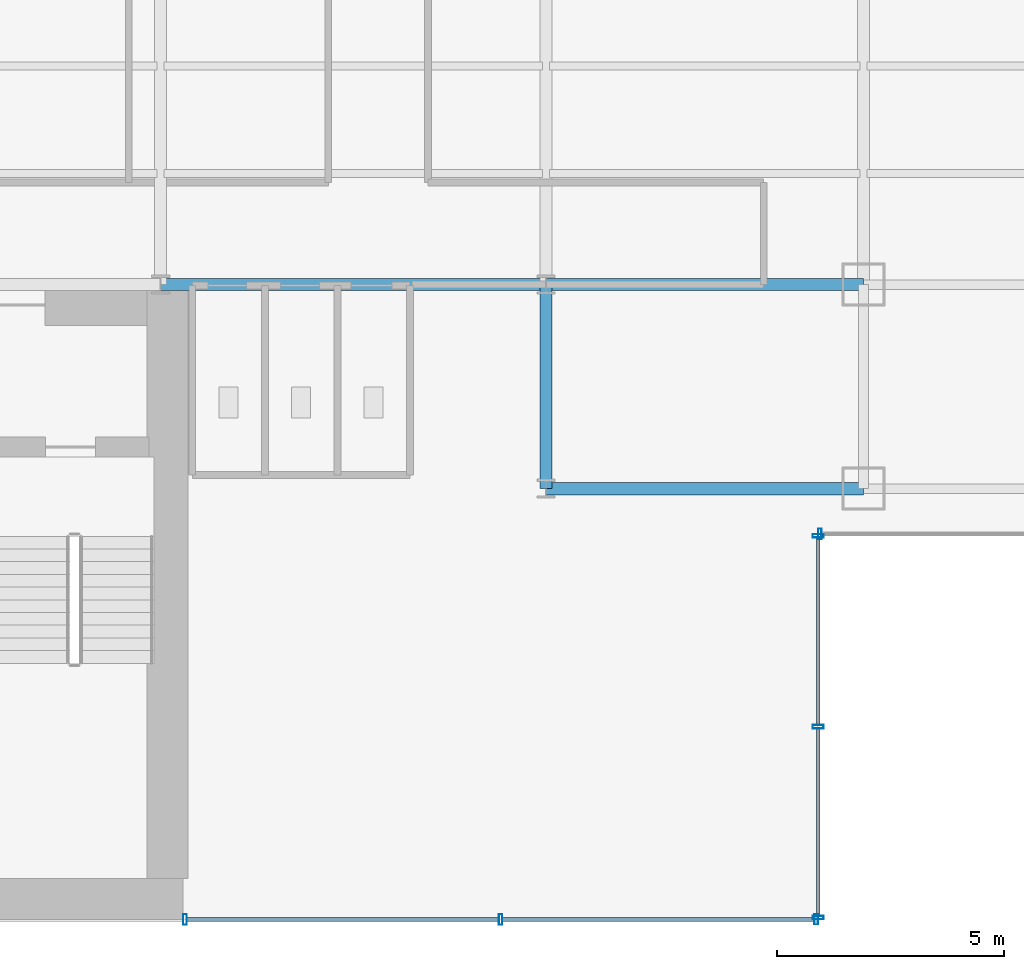
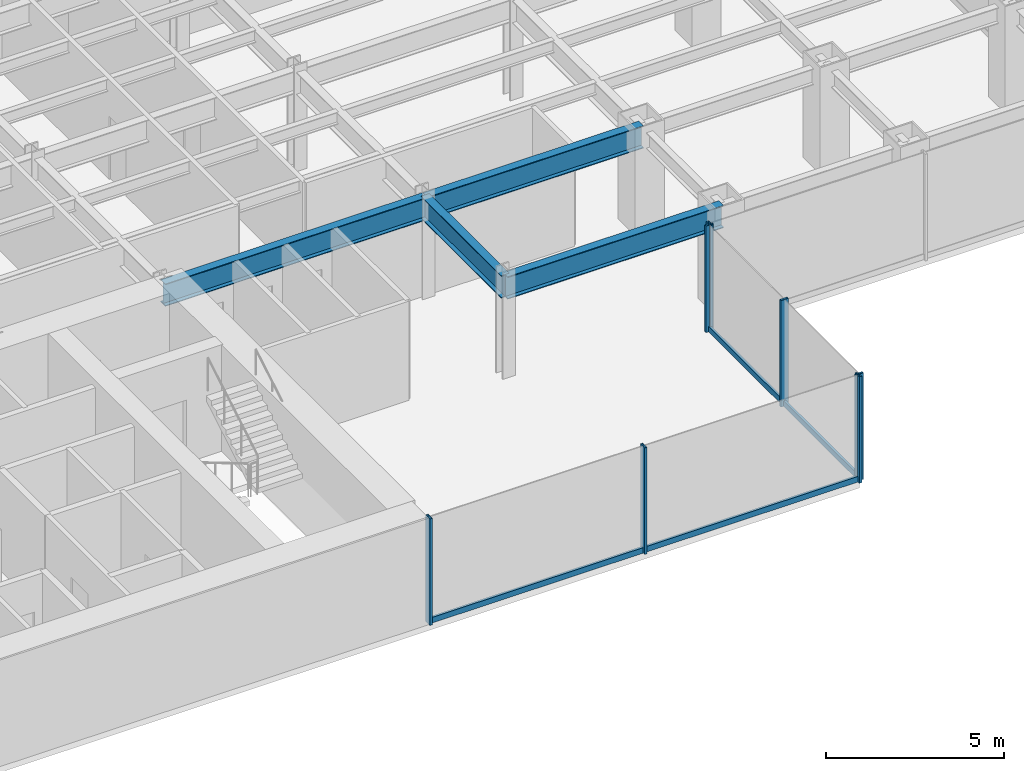
# One storey, part 6 of 22: 11 members, 4 beams, 3 elements without a shape of their own.
"""IFC4 building model written with IfcOpenShell, lengths in metres."""

from ifc_helpers import new_model, si_unit, derived_unit, direction, frame, origin, origin_2d, place, context, subcontext, project, spatial, hollow_rectangle, i_section, extrude, source, transform, mapped, material, material_profile, profile_set, type_object, element, aggregate, save


model = new_model("IFC4")

# Units and contexts
model_context = context("Model", 3, precision=1e-05, world=origin(), true_north=direction((0.0, 1.0)))
body_context = subcontext(model_context, "Body", "Model", "MODEL_VIEW")
ifc_project = project(units=[si_unit("LENGTHUNIT", "METRE"), si_unit("AREAUNIT", "SQUARE_METRE"), si_unit("VOLUMEUNIT", "CUBIC_METRE"), si_unit("PLANEANGLEUNIT", "RADIAN"), si_unit("MASSUNIT", "GRAM", prefix="KILO"), derived_unit("THERMALTRANSMITTANCEUNIT", [(si_unit("POWERUNIT", "WATT"), 1), (si_unit("LENGTHUNIT", "METRE"), -2), (si_unit("THERMODYNAMICTEMPERATUREUNIT", "KELVIN"), -1)])], contexts=[model_context])

# Site, building, storey
site_placement = place(None, origin())
site = spatial("IfcSite", under=ifc_project, at=site_placement, CompositionType="ELEMENT")
building_placement = place(site_placement, origin())
building = spatial("IfcBuilding", under=site, at=building_placement, Name="Skarnbrae Concourse Arena and Tower", CompositionType="ELEMENT")
storey_placement = place(building_placement, frame((0.0, 0.0, 36.14990234375)))
storey = spatial("IfcBuildingStorey", under=building, at=storey_placement, Name="L07", CompositionType="ELEMENT", Elevation=36.14990234375)

# Beams
ifc_material_1 = material(Name="Steel CSA G40.21 350W", Category="steel")
ifc_material_profile_1 = material_profile(ifc_material_1, i_section(OverallWidth=0.26806640625, OverallDepth=0.77001953125, WebThickness=0.015625, FlangeThickness=0.025390625, at=origin_2d()), Name="W760X196")
ifc_profile_set_1 = profile_set([ifc_material_profile_1], Name="Steel CSA G40.21 350W")
beam_type = type_object("IfcBeamType", Name="BM-GIRD-W760X196", PredefinedType="BEAM", material=ifc_profile_set_1)
shared_shape_1 = source(origin(), body_context, "Body", "SweptSolid", [
    extrude(i_section(OverallWidth=0.26806640625, OverallDepth=0.77001953125, WebThickness=0.015625, FlangeThickness=0.025390625, at=origin_2d()), origin(), (0.0, 0.0, 1.0), 7.0),
])
for number, where, z_axis, x_axis, name in (
    (1, (42.0, 9.5, 3.01513671875), (1.0, 0.0, 0.0), (0.0, 1.0, 0.0), "L07 Primary E-W girder Y9.5-2"),
    (2, (42.0, 14.0, 3.01513671875), (1.0, 0.0, 0.0), (0.0, 1.0, 0.0), "L07 Primary E-W girder Y14.0-7"),
):
    element("IfcBeam", number, at=place(storey_placement, frame(where, z_axis=z_axis, x_axis=x_axis)), inside=storey, type_object=beam_type, Name=name, PredefinedType="BEAM", context=body_context, shape_type="MappedRepresentation", body=[
        mapped(shared_shape_1, transform((0.0, 0.0, 0.0))),
    ])
shared_shape_2 = source(origin(), body_context, "Body", "SweptSolid", [
    extrude(i_section(OverallWidth=0.26806640625, OverallDepth=0.77001953125, WebThickness=0.015625, FlangeThickness=0.025390625, at=origin_2d()), origin(), (0.0, 0.0, 1.0), 8.5),
])
beam_1_placement = place(storey_placement, frame((33.5, 14.0, 3.01513671875), z_axis=(1.0, 0.0, 0.0), x_axis=(0.0, 1.0, 0.0)))
element("IfcBeam", 3, at=beam_1_placement, inside=storey, type_object=beam_type, Name="L07 Primary E-W girder Y14.0-6", PredefinedType="BEAM", context=body_context, shape_type="MappedRepresentation", body=[
    mapped(shared_shape_2, transform((0.0, 0.0, 0.0))),
])
shared_shape_3 = source(origin(), body_context, "Body", "SweptSolid", [
    extrude(i_section(OverallWidth=0.26806640625, OverallDepth=0.77001953125, WebThickness=0.015625, FlangeThickness=0.025390625, at=origin_2d()), origin(), (0.0, 0.0, 1.0), 4.5),
])
beam_2_placement = place(storey_placement, frame((42.0, 9.5, 3.01513671875), z_axis=(0.0, 1.0, 0.0), x_axis=(-1.0, 0.0, 0.0)))
element("IfcBeam", 4, at=beam_2_placement, inside=storey, type_object=beam_type, Name="L07 Primary N-S girder X42.0-1", PredefinedType="BEAM", context=body_context, shape_type="MappedRepresentation", body=[
    mapped(shared_shape_3, transform((0.0, 0.0, 0.0))),
])

# Curtain wall, members
ifc_material_2 = material(Name="Bronze anodised aluminium 6063-T6", Category="aluminium")
curtain_wall_type = type_object("IfcCurtainWallType", Name="CW-SYS-02-LOWZONE", PredefinedType="USERDEFINED", material=ifc_material_2)
curtain_wall_1_placement = place(storey_placement, origin())
curtain_wall_1 = element("IfcCurtainWall", 5, at=curtain_wall_1_placement, inside=storey, type_object=curtain_wall_type, Name="L07 Unitised curtain wall CW-L07-SE-SPINE", ObjectType="UNITISED CURTAIN WALL", PredefinedType="USERDEFINED")
ifc_material_profile_2 = material_profile(ifc_material_2, hollow_rectangle(XDim=0.080078125, YDim=0.18994140625, WallThickness=0.0048828125, at=origin_2d()), Name="ALU-TRAN-80X190")
ifc_profile_set_2 = profile_set([ifc_material_profile_2], Name="Bronze anodised aluminium 6063-T6")
member_type_1 = type_object("IfcMemberType", Name="CWT-CW-02", PredefinedType="USERDEFINED", material=ifc_profile_set_2)
shared_shape_4 = source(origin(), body_context, "Body", "SweptSolid", [
    extrude(hollow_rectangle(XDim=0.080078125, YDim=0.18994140625, WallThickness=0.0048828125, at=origin_2d()), origin(), (0.0, 0.0, 1.0), 6.8798828125),
])
member_1_placement = place(storey_placement, frame((34.080078125, 0.0, 0.09521484375), z_axis=(1.0, 0.0, 0.0), x_axis=(0.0, 1.0, 0.0)))
member_1 = element("IfcMember", 6, at=member_1_placement, type_object=member_type_1, Name="CW-L07-SE-SPINE Transom 1", ObjectType="TRANSOM", PredefinedType="USERDEFINED", context=body_context, shape_type="MappedRepresentation", body=[
    mapped(shared_shape_4, transform((0.0, 0.0, 0.0))),
])
member_2_placement = place(storey_placement, frame((41.0400390625, 0.0, 0.09521484375), z_axis=(1.0, 0.0, 0.0), x_axis=(0.0, 1.0, 0.0)))
member_2 = element("IfcMember", 7, at=member_2_placement, type_object=member_type_1, Name="CW-L07-SE-SPINE Transom 2", ObjectType="TRANSOM", PredefinedType="USERDEFINED", context=body_context, shape_type="MappedRepresentation", body=[
    mapped(shared_shape_4, transform((0.0, 0.0, 0.0))),
])

curtain_wall_2_placement = place(storey_placement, origin())
curtain_wall_2 = element("IfcCurtainWall", 8, at=curtain_wall_2_placement, inside=storey, type_object=curtain_wall_type, Name="L07 Unitised curtain wall CW-L07-E02", ObjectType="UNITISED CURTAIN WALL", PredefinedType="USERDEFINED")
shared_shape_5 = source(origin(), body_context, "Body", "SweptSolid", [
    extrude(hollow_rectangle(XDim=0.080078125, YDim=0.18994140625, WallThickness=0.0048828125, at=origin_2d()), origin(), (0.0, 0.0, 1.0), 4.1298828125),
])
member_3_placement = place(storey_placement, frame((48.0, 0.080078125, 0.09521484375), z_axis=(0.0, 1.0, 0.0), x_axis=(-1.0, 0.0, 0.0)))
member_3 = element("IfcMember", 9, at=member_3_placement, type_object=member_type_1, Name="CW-L07-E02 Transom 1", ObjectType="TRANSOM", PredefinedType="USERDEFINED", context=body_context, shape_type="MappedRepresentation", body=[
    mapped(shared_shape_5, transform((0.0, 0.0, 0.0))),
])
member_4_placement = place(storey_placement, frame((48.0, 4.2900390625, 0.09521484375), z_axis=(0.0, 1.0, 0.0), x_axis=(-1.0, 0.0, 0.0)))
member_4 = element("IfcMember", 10, at=member_4_placement, type_object=member_type_1, Name="CW-L07-E02 Transom 2", ObjectType="TRANSOM", PredefinedType="USERDEFINED", context=body_context, shape_type="MappedRepresentation", body=[
    mapped(shared_shape_5, transform((0.0, 0.0, 0.0))),
])

# Member
ifc_material_profile_3 = material_profile(ifc_material_2, hollow_rectangle(XDim=0.080078125, YDim=0.239990234375, WallThickness=0.0048828125, at=origin_2d()), Name="ALU-MULL-80X240")
ifc_profile_set_3 = profile_set([ifc_material_profile_3], Name="Bronze anodised aluminium 6063-T6")
member_type_2 = type_object("IfcMemberType", Name="CWM-CW-02", PredefinedType="MULLION", material=ifc_profile_set_3)
shared_shape_6 = source(origin(), body_context, "Body", "SweptSolid", [
    extrude(hollow_rectangle(XDim=0.080078125, YDim=0.239990234375, WallThickness=0.0048828125, at=origin_2d()), origin(), (0.0, 0.0, 1.0), 3.650146484375),
])
member_5_placement = place(storey_placement, frame((34.0400390625, 0.0, 0.0), z_axis=(0.0, 0.0, 1.0), x_axis=(1.0, 0.0, 0.0)))
member_5 = element("IfcMember", 11, at=member_5_placement, type_object=member_type_2, Name="CW-L07-SE-SPINE Mullion 1", PredefinedType="MULLION", context=body_context, shape_type="MappedRepresentation", body=[
    mapped(shared_shape_6, transform((0.0, 0.0, 0.0))),
])

member_6_placement = place(storey_placement, frame((41.0, 0.0, 0.0), z_axis=(0.0, 0.0, 1.0), x_axis=(1.0, 0.0, 0.0)))
member_6 = element("IfcMember", 12, at=member_6_placement, type_object=member_type_2, Name="CW-L07-SE-SPINE Mullion 2", PredefinedType="MULLION", context=body_context, shape_type="MappedRepresentation", body=[
    mapped(shared_shape_6, transform((0.0, 0.0, 0.0))),
])

member_7_placement = place(storey_placement, frame((47.9599609375, 0.0, 0.0), z_axis=(0.0, 0.0, 1.0), x_axis=(1.0, 0.0, 0.0)))
member_7 = element("IfcMember", 13, at=member_7_placement, type_object=member_type_2, Name="CW-L07-SE-SPINE Mullion 3", PredefinedType="MULLION", context=body_context, shape_type="MappedRepresentation", body=[
    mapped(shared_shape_6, transform((0.0, 0.0, 0.0))),
])

aggregate(curtain_wall_1, [member_5, member_6, member_7, member_1, member_2])

member_8_placement = place(storey_placement, frame((48.0, 0.0400390625, 0.0), z_axis=(0.0, 0.0, 1.0), x_axis=(0.0, 1.0, 0.0)))
member_8 = element("IfcMember", 14, at=member_8_placement, type_object=member_type_2, Name="CW-L07-E02 Mullion 1", PredefinedType="MULLION", context=body_context, shape_type="MappedRepresentation", body=[
    mapped(shared_shape_6, transform((0.0, 0.0, 0.0))),
])

member_9_placement = place(storey_placement, frame((48.0, 4.25, 0.0), z_axis=(0.0, 0.0, 1.0), x_axis=(0.0, 1.0, 0.0)))
member_9 = element("IfcMember", 15, at=member_9_placement, type_object=member_type_2, Name="CW-L07-E02 Mullion 2", PredefinedType="MULLION", context=body_context, shape_type="MappedRepresentation", body=[
    mapped(shared_shape_6, transform((0.0, 0.0, 0.0))),
])

member_10_placement = place(storey_placement, frame((48.0, 8.4599609375, 0.0), z_axis=(0.0, 0.0, 1.0), x_axis=(0.0, 1.0, 0.0)))
member_10 = element("IfcMember", 16, at=member_10_placement, type_object=member_type_2, Name="CW-L07-E02 Mullion 3", PredefinedType="MULLION", context=body_context, shape_type="MappedRepresentation", body=[
    mapped(shared_shape_6, transform((0.0, 0.0, 0.0))),
])

aggregate(curtain_wall_2, [member_8, member_9, member_10, member_3, member_4])

# Curtain wall, member
curtain_wall_3_placement = place(storey_placement, origin())
curtain_wall_3 = element("IfcCurtainWall", 17, at=curtain_wall_3_placement, inside=storey, type_object=curtain_wall_type, Name="L07 Unitised curtain wall CW-L07-E03", ObjectType="UNITISED CURTAIN WALL", PredefinedType="USERDEFINED")
member_11_placement = place(storey_placement, frame((48.0400390625, 8.5, 0.0), z_axis=(0.0, 0.0, 1.0), x_axis=(1.0, 0.0, 0.0)))
member_11 = element("IfcMember", 18, at=member_11_placement, type_object=member_type_2, Name="CW-L07-E03 Mullion 1", PredefinedType="MULLION", context=body_context, shape_type="MappedRepresentation", body=[
    mapped(shared_shape_6, transform((0.0, 0.0, 0.0))),
])
aggregate(curtain_wall_3, [member_11])

save(model, "model.ifc")
